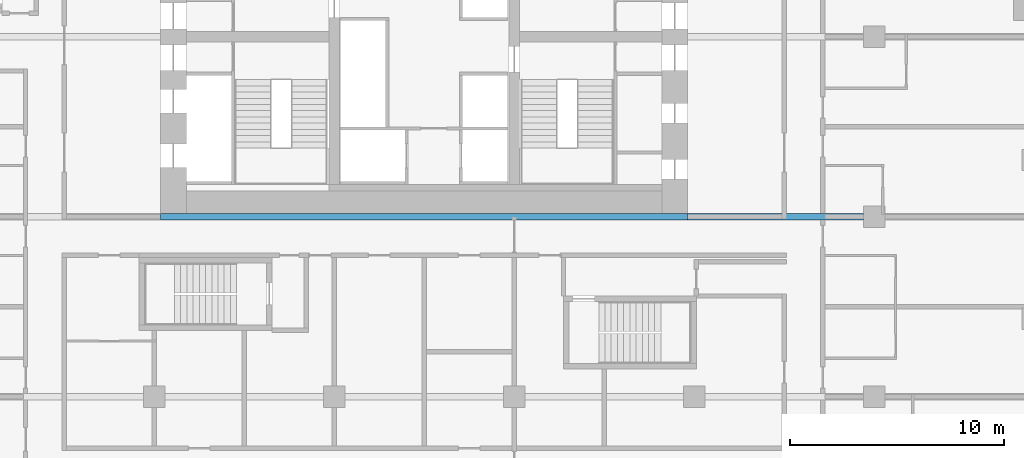
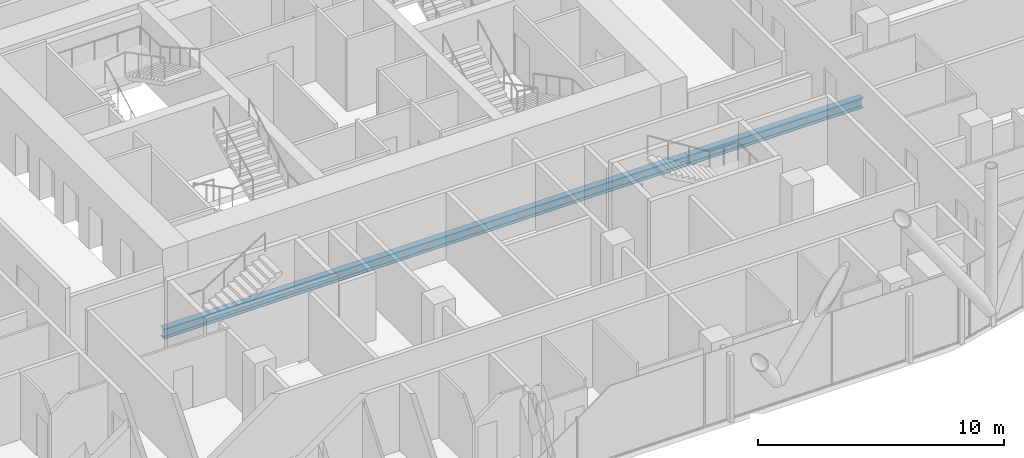
# One storey, part 7 of 35: 2 beams.
"""IFC4 building model written with IfcOpenShell, lengths in metres."""

import ifcopenshell
import ifcopenshell.guid

model = None  # the IFC model being written
_history = None  # IfcOwnerHistory: only IFC2X3 demands one
_inside = {}  # id of a spatial element -> (the spatial element, [elements in it])
_under = {}  # id of a project, library or spatial element -> (it, [spatial elements below it])
_declared = {}  # id of a project -> (the project, [libraries it declares])
_typed = {}  # id of a type object -> (the type object, [elements of that type])
_made_of = {}  # id of a material, layer set ... -> (it, [elements and type objects made of it])


def new_model(schema):
    """Start an empty IFC model of exactly this schema.

    Asked for "IFC4X3", IfcOpenShell would pick the latest addendum, in which some entities
    have other attributes; the version numbers below select the first issue.
    IFC2X3 requires an IfcOwnerHistory on every rooted entity: one is made here for all.
    """
    global model, _history
    if schema == "IFC4X3":
        model = ifcopenshell.file(schema_version=(4, 3, 0, 0))
    else:
        model = ifcopenshell.file(schema=schema)
    _inside.clear()
    _under.clear()
    _declared.clear()
    _typed.clear()
    _made_of.clear()
    _history = None
    if model.schema == "IFC2X3":
        org = make("IfcOrganization", Name="unknown")
        user = make(
            "IfcPersonAndOrganization",
            ThePerson=make("IfcPerson", FamilyName="unknown"),
            TheOrganization=org,
        )
        app = make(
            "IfcApplication",
            ApplicationDeveloper=org,
            Version="unknown",
            ApplicationFullName="unknown",
            ApplicationIdentifier="unknown",
        )
        _history = make(
            "IfcOwnerHistory",
            OwningUser=user,
            OwningApplication=app,
            ChangeAction="ADDED",
            CreationDate=0,
        )
    return model


def make(cls, **values):
    """One entity of the class cls with the attributes given. An attribute that is None is left unset."""
    return model.create_entity(
        cls, **{name: value for name, value in values.items() if value is not None}
    )


def rooted(cls, **values):
    """An entity with a GlobalId (a new one), such as an element, a storey or a relation."""
    return make(cls, GlobalId=ifcopenshell.guid.new(), OwnerHistory=_history, **values)


def si_unit(unit_type, name, prefix=None):
    """IfcSIUnit, for example si_unit("LENGTHUNIT", "METRE", prefix="MILLI")."""
    return make("IfcSIUnit", UnitType=unit_type, Prefix=prefix, Name=name)


def assignment(units):
    """IfcUnitAssignment: the units of a project."""
    return None if units is None else make("IfcUnitAssignment", Units=units)


def point(xyz):
    """IfcCartesianPoint."""
    return None if xyz is None else make("IfcCartesianPoint", Coordinates=xyz)


def direction(xyz):
    """IfcDirection."""
    return None if xyz is None else make("IfcDirection", DirectionRatios=xyz)


def frame(location, z_axis=None, x_axis=None):
    """IfcAxis2Placement3D, a coordinate frame: its origin and axes. An axis left out is left unset."""
    return make(
        "IfcAxis2Placement3D",
        Location=point(location),
        Axis=direction(z_axis),
        RefDirection=direction(x_axis),
    )


def frame_2d(location, x_axis=None):
    """IfcAxis2Placement2D, a coordinate frame in the plane: its origin and x axis."""
    return make(
        "IfcAxis2Placement2D", Location=point(location), RefDirection=direction(x_axis)
    )


def origin():
    """The frame at (0, 0, 0) with its axes left unset."""
    return frame((0.0, 0.0, 0.0))


def origin_2d():
    """The frame at (0, 0) in the plane with its x axis left unset."""
    return frame_2d((0.0, 0.0))


def place(relative_to, where):
    """IfcLocalPlacement: puts the frame where relative to a parent placement (None: the world)."""
    return make(
        "IfcLocalPlacement", PlacementRelTo=relative_to, RelativePlacement=where
    )


def context(
    kind, dimensions, precision=None, world=None, true_north=None, identifier=None
):
    """IfcGeometricRepresentationContext, for example the 3D "Model" context."""
    return make(
        "IfcGeometricRepresentationContext",
        ContextIdentifier=identifier,
        ContextType=kind,
        CoordinateSpaceDimension=dimensions,
        Precision=precision,
        WorldCoordinateSystem=world,
        TrueNorth=true_north,
    )


def subcontext(parent, identifier, kind, view, scale=None):
    """IfcGeometricRepresentationSubContext, for example "Body" below "Model"."""
    return make(
        "IfcGeometricRepresentationSubContext",
        ContextIdentifier=identifier,
        ContextType=kind,
        ParentContext=parent,
        TargetScale=scale,
        TargetView=view,
    )


def project(units=None, contexts=None):
    """IfcProject with its units and contexts."""
    return rooted(
        "IfcProject",
        Name="project",
        RepresentationContexts=contexts,
        UnitsInContext=assignment(units),
    )


def spatial(cls, under=None, at=None, **own):
    """A site, building, storey or space (cls), placed at a placement, below another one or the project."""
    s = rooted(cls, ObjectPlacement=at, **own)
    if under is not None:
        _under.setdefault(under.id(), (under, []))[1].append(s)
    return s


def profile(cls, at=None, kind="AREA", **sizes):
    """A parametric profile (cls). Its sizes go by their IFC names, for example OverallWidth=200.0."""
    return make(cls, ProfileType=kind, Position=at, **sizes)


def i_section(**sizes):
    """IfcIShapeProfileDef."""
    return profile("IfcIShapeProfileDef", **sizes)


def extrude(swept, where, along, depth):
    """IfcExtrudedAreaSolid: the profile swept, set in the frame where, extruded along a direction by depth."""
    return make(
        "IfcExtrudedAreaSolid",
        SweptArea=swept,
        Position=where,
        ExtrudedDirection=direction(along),
        Depth=depth,
    )


def shape(context_of_items, identifier, shape_type, items):
    """IfcShapeRepresentation: the items that make up one representation, for example the "Body"."""
    return make(
        "IfcShapeRepresentation",
        ContextOfItems=context_of_items,
        RepresentationIdentifier=identifier,
        RepresentationType=shape_type,
        Items=items,
    )


def material(Name=None, Category=None):
    """IfcMaterial."""
    return make("IfcMaterial", Name=Name, Category=Category)


def material_profile(
    of_material, cross_section, Name=None, Category=None, Priority=None
):
    """IfcMaterialProfile: a cross section and its material."""
    return make(
        "IfcMaterialProfile",
        Name=Name,
        Material=of_material,
        Profile=cross_section,
        Priority=Priority,
        Category=Category,
    )


def profile_set(profiles, Name=None, composite=None):
    """IfcMaterialProfileSet."""
    return make(
        "IfcMaterialProfileSet",
        Name=Name,
        MaterialProfiles=profiles,
        CompositeProfile=composite,
    )


def made_of(thing, what):
    """Note that an element or type object is made of a material, layer set ...; save() writes the relation."""
    if what is not None:
        _made_of.setdefault(what.id(), (what, []))[1].append(thing)
    return thing


def type_object(cls, material=None, **own):
    """A type object (cls), such as IfcWallType, which elements share."""
    return made_of(rooted(cls, **own), material)


def element(
    cls,
    number,
    at=None,
    inside=None,
    cuts=None,
    type_object=None,
    material=None,
    context=None,
    identifier="Body",
    shape_type=None,
    held_by="IfcProductDefinitionShape",
    body=None,
    shapes=None,
    **own,
):
    """One element of the class cls, such as IfcWall. Its Tag is "e" and its number.

    at: its placement. inside: the storey or other place that contains it. cuts: it is an
    opening in that element (IfcRelVoidsElement). A single representation is given by context,
    identifier, shape_type and body (its items); several are given by shapes. held_by: the class
    of the entity that holds the representations. save() writes the other relations.
    """
    e = rooted(cls, Tag="e%d" % number, ObjectPlacement=at, **own)
    if body is not None:
        shapes = [shape(context, identifier, shape_type, body)]
    if shapes is not None:
        e.Representation = make(held_by, Representations=shapes)
    if inside is not None:
        _inside.setdefault(inside.id(), (inside, []))[1].append(e)
    if cuts is not None:
        rooted(
            "IfcRelVoidsElement", RelatingBuildingElement=cuts, RelatedOpeningElement=e
        )
    if type_object is not None:
        _typed.setdefault(type_object.id(), (type_object, []))[1].append(e)
    return made_of(e, material)


def aggregate(whole, parts):
    """IfcRelAggregates: a whole, such as a stair, and the parts it consists of."""
    return rooted("IfcRelAggregates", RelatingObject=whole, RelatedObjects=parts)


def save(model, path):
    """Write the relations noted so far, then the file.

    IfcRelAggregates (storeys below a building ...), IfcRelContainedInSpatialStructure (elements
    in a storey), IfcRelDefinesByType, IfcRelAssociatesMaterial and IfcRelDeclares: one each for
    every whole, place, type object, material and project.
    """
    for whole, parts in _under.values():
        aggregate(whole, parts)
    for where, things in _inside.values():
        rooted(
            "IfcRelContainedInSpatialStructure",
            RelatedElements=things,
            RelatingStructure=where,
        )
    for kind, things in _typed.values():
        rooted("IfcRelDefinesByType", RelatedObjects=things, RelatingType=kind)
    for what, things in _made_of.values():
        rooted("IfcRelAssociatesMaterial", RelatedObjects=things, RelatingMaterial=what)
    for by, libraries in _declared.values():
        rooted("IfcRelDeclares", RelatingContext=by, RelatedDefinitions=libraries)
    model.write(path)


model = new_model("IFC4")

# Units and contexts
model_context = context("Model", 3, precision=1e-05, world=origin(), true_north=direction((0.0, 1.0)))
body_context = subcontext(model_context, "Body", "Model", "MODEL_VIEW")
ifc_project = project(units=[si_unit("LENGTHUNIT", "METRE"), si_unit("AREAUNIT", "SQUARE_METRE"), si_unit("VOLUMEUNIT", "CUBIC_METRE"), si_unit("PLANEANGLEUNIT", "RADIAN"), si_unit("MASSUNIT", "GRAM", prefix="KILO")], contexts=[model_context])

# Site, building, storey
site_placement = place(None, origin())
site = spatial("IfcSite", under=ifc_project, at=site_placement, CompositionType="ELEMENT")
building_placement = place(site_placement, origin())
building = spatial("IfcBuilding", under=site, at=building_placement, Name="Marenta Gate Hotel Tower", CompositionType="ELEMENT")
storey_placement = place(building_placement, frame((0.0, 0.0, 61.699951171875)))
storey = spatial("IfcBuildingStorey", under=building, at=storey_placement, Name="L13", CompositionType="ELEMENT", Elevation=61.699951171875)

# Beams
ifc_material = material(Name="Steel S355", Category="steel")
ifc_material_profile = material_profile(ifc_material, i_section(OverallWidth=0.300048828125, OverallDepth=0.5, WebThickness=0.014404296875, FlangeThickness=0.028076171875, FilletRadius=0.027099609375, at=origin_2d()), Name="HEB 500")
ifc_profile_set = profile_set([ifc_material_profile], Name="Steel S355")
beam_type = type_object("IfcBeamType", Name="Girder HEB 500", PredefinedType="BEAM", material=ifc_profile_set)
beam_1_placement = place(storey_placement, frame((-12.300048828125, 0.0, -0.510009765625), z_axis=(1.0, 0.0, 0.0), x_axis=(0.0, 1.0, 0.0)))
element("IfcBeam", 1, at=beam_1_placement, inside=storey, type_object=beam_type, Name="L13-GD-10", PredefinedType="BEAM", context=body_context, shape_type="SweptSolid", body=[
    extrude(i_section(OverallWidth=0.300048828125, OverallDepth=0.5, WebThickness=0.014404296875, FlangeThickness=0.028076171875, FilletRadius=0.027099609375, at=origin_2d()), origin(), (0.0, 0.0, 1.0), 24.60009765625),
])
beam_2_placement = place(storey_placement, frame((12.300048828125, 0.0, -0.510009765625), z_axis=(1.0, 0.0, 0.0), x_axis=(0.0, 1.0, 0.0)))
element("IfcBeam", 2, at=beam_2_placement, inside=storey, type_object=beam_type, Name="L13-GD-11", PredefinedType="BEAM", context=body_context, shape_type="SweptSolid", body=[
    extrude(i_section(OverallWidth=0.300048828125, OverallDepth=0.5, WebThickness=0.014404296875, FlangeThickness=0.028076171875, FilletRadius=0.027099609375, at=origin_2d()), origin(), (0.0, 0.0, 1.0), 8.199951171875),
])

save(model, "model.ifc")
